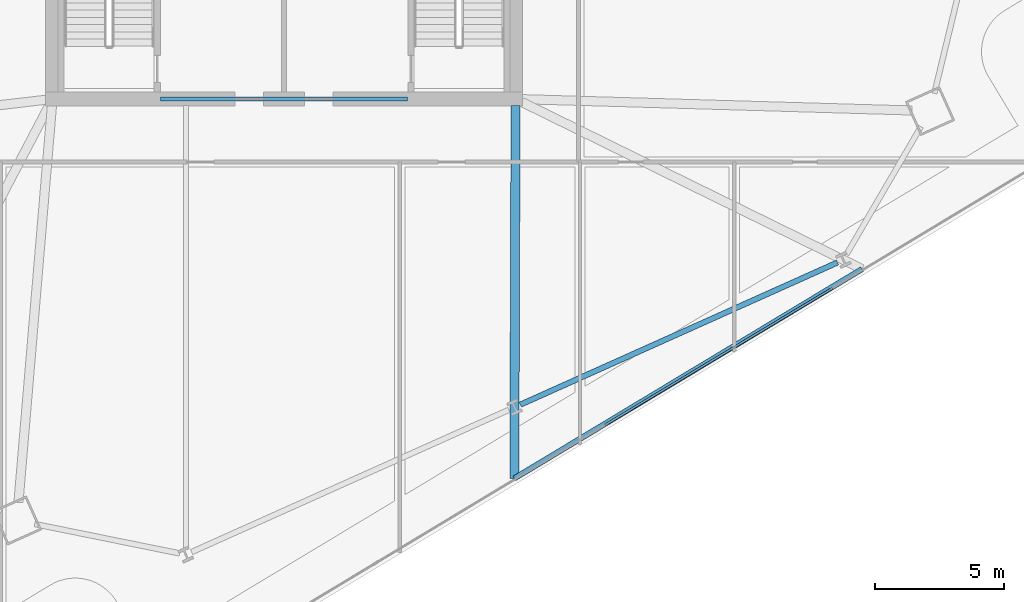
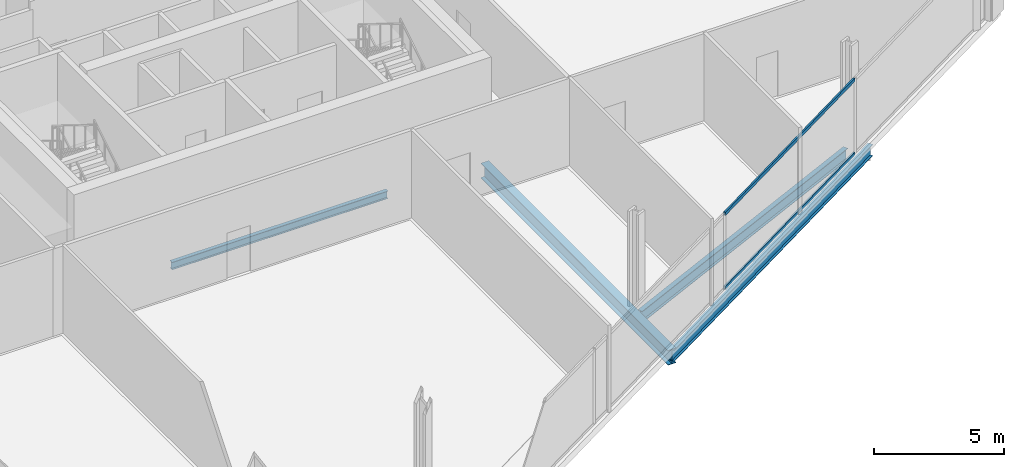
# One storey, part 7 of 30: 4 beams, 2 members, 1 element without a shape of its own.
"""IFC4 building model written with IfcOpenShell, lengths in metres."""

import ifcopenshell
import ifcopenshell.guid

model = None  # the IFC model being written
_history = None  # IfcOwnerHistory: only IFC2X3 demands one
_inside = {}  # id of a spatial element -> (the spatial element, [elements in it])
_under = {}  # id of a project, library or spatial element -> (it, [spatial elements below it])
_declared = {}  # id of a project -> (the project, [libraries it declares])
_typed = {}  # id of a type object -> (the type object, [elements of that type])
_made_of = {}  # id of a material, layer set ... -> (it, [elements and type objects made of it])


def new_model(schema):
    """Start an empty IFC model of exactly this schema.

    Asked for "IFC4X3", IfcOpenShell would pick the latest addendum, in which some entities
    have other attributes; the version numbers below select the first issue.
    IFC2X3 requires an IfcOwnerHistory on every rooted entity: one is made here for all.
    """
    global model, _history
    if schema == "IFC4X3":
        model = ifcopenshell.file(schema_version=(4, 3, 0, 0))
    else:
        model = ifcopenshell.file(schema=schema)
    _inside.clear()
    _under.clear()
    _declared.clear()
    _typed.clear()
    _made_of.clear()
    _history = None
    if model.schema == "IFC2X3":
        org = make("IfcOrganization", Name="unknown")
        user = make(
            "IfcPersonAndOrganization",
            ThePerson=make("IfcPerson", FamilyName="unknown"),
            TheOrganization=org,
        )
        app = make(
            "IfcApplication",
            ApplicationDeveloper=org,
            Version="unknown",
            ApplicationFullName="unknown",
            ApplicationIdentifier="unknown",
        )
        _history = make(
            "IfcOwnerHistory",
            OwningUser=user,
            OwningApplication=app,
            ChangeAction="ADDED",
            CreationDate=0,
        )
    return model


def make(cls, **values):
    """One entity of the class cls with the attributes given. An attribute that is None is left unset."""
    return model.create_entity(
        cls, **{name: value for name, value in values.items() if value is not None}
    )


def rooted(cls, **values):
    """An entity with a GlobalId (a new one), such as an element, a storey or a relation."""
    return make(cls, GlobalId=ifcopenshell.guid.new(), OwnerHistory=_history, **values)


def si_unit(unit_type, name, prefix=None):
    """IfcSIUnit, for example si_unit("LENGTHUNIT", "METRE", prefix="MILLI")."""
    return make("IfcSIUnit", UnitType=unit_type, Prefix=prefix, Name=name)


def assignment(units):
    """IfcUnitAssignment: the units of a project."""
    return None if units is None else make("IfcUnitAssignment", Units=units)


def point(xyz):
    """IfcCartesianPoint."""
    return None if xyz is None else make("IfcCartesianPoint", Coordinates=xyz)


def direction(xyz):
    """IfcDirection."""
    return None if xyz is None else make("IfcDirection", DirectionRatios=xyz)


def frame(location, z_axis=None, x_axis=None):
    """IfcAxis2Placement3D, a coordinate frame: its origin and axes. An axis left out is left unset."""
    return make(
        "IfcAxis2Placement3D",
        Location=point(location),
        Axis=direction(z_axis),
        RefDirection=direction(x_axis),
    )


def frame_2d(location, x_axis=None):
    """IfcAxis2Placement2D, a coordinate frame in the plane: its origin and x axis."""
    return make(
        "IfcAxis2Placement2D", Location=point(location), RefDirection=direction(x_axis)
    )


def origin():
    """The frame at (0, 0, 0) with its axes left unset."""
    return frame((0.0, 0.0, 0.0))


def origin_2d():
    """The frame at (0, 0) in the plane with its x axis left unset."""
    return frame_2d((0.0, 0.0))


def place(relative_to, where):
    """IfcLocalPlacement: puts the frame where relative to a parent placement (None: the world)."""
    return make(
        "IfcLocalPlacement", PlacementRelTo=relative_to, RelativePlacement=where
    )


def context(
    kind, dimensions, precision=None, world=None, true_north=None, identifier=None
):
    """IfcGeometricRepresentationContext, for example the 3D "Model" context."""
    return make(
        "IfcGeometricRepresentationContext",
        ContextIdentifier=identifier,
        ContextType=kind,
        CoordinateSpaceDimension=dimensions,
        Precision=precision,
        WorldCoordinateSystem=world,
        TrueNorth=true_north,
    )


def subcontext(parent, identifier, kind, view, scale=None):
    """IfcGeometricRepresentationSubContext, for example "Body" below "Model"."""
    return make(
        "IfcGeometricRepresentationSubContext",
        ContextIdentifier=identifier,
        ContextType=kind,
        ParentContext=parent,
        TargetScale=scale,
        TargetView=view,
    )


def project(units=None, contexts=None):
    """IfcProject with its units and contexts."""
    return rooted(
        "IfcProject",
        Name="project",
        RepresentationContexts=contexts,
        UnitsInContext=assignment(units),
    )


def spatial(cls, under=None, at=None, **own):
    """A site, building, storey or space (cls), placed at a placement, below another one or the project."""
    s = rooted(cls, ObjectPlacement=at, **own)
    if under is not None:
        _under.setdefault(under.id(), (under, []))[1].append(s)
    return s


def profile(cls, at=None, kind="AREA", **sizes):
    """A parametric profile (cls). Its sizes go by their IFC names, for example OverallWidth=200.0."""
    return make(cls, ProfileType=kind, Position=at, **sizes)


def hollow_rectangle(**sizes):
    """IfcRectangleHollowProfileDef."""
    return profile("IfcRectangleHollowProfileDef", **sizes)


def i_section(**sizes):
    """IfcIShapeProfileDef."""
    return profile("IfcIShapeProfileDef", **sizes)


def extrude(swept, where, along, depth):
    """IfcExtrudedAreaSolid: the profile swept, set in the frame where, extruded along a direction by depth."""
    return make(
        "IfcExtrudedAreaSolid",
        SweptArea=swept,
        Position=where,
        ExtrudedDirection=direction(along),
        Depth=depth,
    )


def shape(context_of_items, identifier, shape_type, items):
    """IfcShapeRepresentation: the items that make up one representation, for example the "Body"."""
    return make(
        "IfcShapeRepresentation",
        ContextOfItems=context_of_items,
        RepresentationIdentifier=identifier,
        RepresentationType=shape_type,
        Items=items,
    )


def material(Name=None, Category=None):
    """IfcMaterial."""
    return make("IfcMaterial", Name=Name, Category=Category)


def material_profile(
    of_material, cross_section, Name=None, Category=None, Priority=None
):
    """IfcMaterialProfile: a cross section and its material."""
    return make(
        "IfcMaterialProfile",
        Name=Name,
        Material=of_material,
        Profile=cross_section,
        Priority=Priority,
        Category=Category,
    )


def profile_set(profiles, Name=None, composite=None):
    """IfcMaterialProfileSet."""
    return make(
        "IfcMaterialProfileSet",
        Name=Name,
        MaterialProfiles=profiles,
        CompositeProfile=composite,
    )


def made_of(thing, what):
    """Note that an element or type object is made of a material, layer set ...; save() writes the relation."""
    if what is not None:
        _made_of.setdefault(what.id(), (what, []))[1].append(thing)
    return thing


def type_object(cls, material=None, **own):
    """A type object (cls), such as IfcWallType, which elements share."""
    return made_of(rooted(cls, **own), material)


def element(
    cls,
    number,
    at=None,
    inside=None,
    cuts=None,
    type_object=None,
    material=None,
    context=None,
    identifier="Body",
    shape_type=None,
    held_by="IfcProductDefinitionShape",
    body=None,
    shapes=None,
    **own,
):
    """One element of the class cls, such as IfcWall. Its Tag is "e" and its number.

    at: its placement. inside: the storey or other place that contains it. cuts: it is an
    opening in that element (IfcRelVoidsElement). A single representation is given by context,
    identifier, shape_type and body (its items); several are given by shapes. held_by: the class
    of the entity that holds the representations. save() writes the other relations.
    """
    e = rooted(cls, Tag="e%d" % number, ObjectPlacement=at, **own)
    if body is not None:
        shapes = [shape(context, identifier, shape_type, body)]
    if shapes is not None:
        e.Representation = make(held_by, Representations=shapes)
    if inside is not None:
        _inside.setdefault(inside.id(), (inside, []))[1].append(e)
    if cuts is not None:
        rooted(
            "IfcRelVoidsElement", RelatingBuildingElement=cuts, RelatedOpeningElement=e
        )
    if type_object is not None:
        _typed.setdefault(type_object.id(), (type_object, []))[1].append(e)
    return made_of(e, material)


def aggregate(whole, parts):
    """IfcRelAggregates: a whole, such as a stair, and the parts it consists of."""
    return rooted("IfcRelAggregates", RelatingObject=whole, RelatedObjects=parts)


def save(model, path):
    """Write the relations noted so far, then the file.

    IfcRelAggregates (storeys below a building ...), IfcRelContainedInSpatialStructure (elements
    in a storey), IfcRelDefinesByType, IfcRelAssociatesMaterial and IfcRelDeclares: one each for
    every whole, place, type object, material and project.
    """
    for whole, parts in _under.values():
        aggregate(whole, parts)
    for where, things in _inside.values():
        rooted(
            "IfcRelContainedInSpatialStructure",
            RelatedElements=things,
            RelatingStructure=where,
        )
    for kind, things in _typed.values():
        rooted("IfcRelDefinesByType", RelatedObjects=things, RelatingType=kind)
    for what, things in _made_of.values():
        rooted("IfcRelAssociatesMaterial", RelatedObjects=things, RelatingMaterial=what)
    for by, libraries in _declared.values():
        rooted("IfcRelDeclares", RelatingContext=by, RelatedDefinitions=libraries)
    model.write(path)


model = new_model("IFC4")

# Units and contexts
model_context = context("Model", 3, precision=1e-05, world=origin(), true_north=direction((0.0, 1.0)))
body_context = subcontext(model_context, "Body", "Model", "MODEL_VIEW")
ifc_project = project(units=[si_unit("LENGTHUNIT", "METRE"), si_unit("AREAUNIT", "SQUARE_METRE"), si_unit("VOLUMEUNIT", "CUBIC_METRE"), si_unit("PLANEANGLEUNIT", "RADIAN"), si_unit("MASSUNIT", "GRAM", prefix="KILO")], contexts=[model_context])

# Site, building, storey
site_placement = place(None, origin())
site = spatial("IfcSite", under=ifc_project, at=site_placement, CompositionType="ELEMENT")
building_placement = place(site_placement, origin())
building = spatial("IfcBuilding", under=site, at=building_placement, Name="Haldenkirk Collegiate Tower", CompositionType="ELEMENT")
storey_placement = place(building_placement, frame((0.0, 0.0, 131.699951171875)))
storey = spatial("IfcBuildingStorey", under=building, at=storey_placement, Name="L32", CompositionType="ELEMENT", Elevation=131.699951171875)

# Beams
ifc_material_1 = material(Name="Steel ASTM A992 Grade 50", Category="steel")
ifc_material_profile_1 = material_profile(ifc_material_1, i_section(OverallWidth=0.35498046875, OverallDepth=0.696044921875, WebThickness=0.015380859375, FlangeThickness=0.02490234375, at=origin_2d()), Name="W27X146")
ifc_profile_set_1 = profile_set([ifc_material_profile_1], Name="Steel ASTM A992 Grade 50")
beam_type_1 = type_object("IfcBeamType", Name="BM-GIRDER-W27X146", PredefinedType="BEAM", material=ifc_profile_set_1)
beam_1_placement = place(storey_placement, frame((44.95068359375, 3.252197265625, -0.697998046875), z_axis=(0.003335392393, 0.999994437563, 0.0), x_axis=(-0.999994437563, 0.003335392393, 0.0)))
element("IfcBeam", 1, at=beam_1_placement, inside=storey, type_object=beam_type_1, Name="L32 primary floor girder 06", PredefinedType="BEAM", context=body_context, shape_type="SweptSolid", body=[
    extrude(i_section(OverallWidth=0.35498046875, OverallDepth=0.696044921875, WebThickness=0.015380859375, FlangeThickness=0.02490234375, at=origin_2d()), origin(), (0.0, 0.0, 1.0), 14.492919921875),
])
ifc_material_profile_2 = material_profile(ifc_material_1, i_section(OverallWidth=0.1708984375, OverallDepth=0.35595703125, WebThickness=0.007080078125, FlangeThickness=0.01171875, at=origin_2d()), Name="W14X34")
ifc_profile_set_2 = profile_set([ifc_material_profile_2], Name="Steel ASTM A992 Grade 50")
beam_type_2 = type_object("IfcBeamType", Name="BM-LINTEL-W14X34", PredefinedType="LINTEL", material=ifc_profile_set_2)
beam_2_placement = place(storey_placement, frame((31.199951171875, 18.0, -0.52783203125), z_axis=(1.0, 0.0, 0.0), x_axis=(0.0, 1.0, 0.0)))
element("IfcBeam", 2, at=beam_2_placement, inside=storey, type_object=beam_type_2, Name="L32 south core coupling lintel", PredefinedType="LINTEL", context=body_context, shape_type="SweptSolid", body=[
    extrude(i_section(OverallWidth=0.1708984375, OverallDepth=0.35595703125, WebThickness=0.007080078125, FlangeThickness=0.01171875, at=origin_2d()), origin(), (0.0, 0.0, 1.0), 9.60009765625),
])
ifc_material_profile_3 = material_profile(ifc_material_1, i_section(OverallWidth=0.2119140625, OverallDepth=0.5439453125, WebThickness=0.01318359375, FlangeThickness=0.021240234375, at=origin_2d()), Name="W21X83")
ifc_profile_set_3 = profile_set([ifc_material_profile_3], Name="Steel ASTM A992 Grade 50")
beam_type_3 = type_object("IfcBeamType", Name="BM-SPANDREL-W21X83", PredefinedType="SPANDREL", material=ifc_profile_set_3)
beam_3_placement = place(storey_placement, frame((45.183837890625, 6.1171875, -0.6220703125), z_axis=(0.912476765144, 0.409128528793, 0.0), x_axis=(-0.409128528793, 0.912476765144, 0.0)))
element("IfcBeam", 3, at=beam_3_placement, inside=storey, type_object=beam_type_3, Name="L32 perimeter spandrel beam 03", PredefinedType="SPANDREL", context=body_context, shape_type="SweptSolid", body=[
    extrude(i_section(OverallWidth=0.2119140625, OverallDepth=0.5439453125, WebThickness=0.01318359375, FlangeThickness=0.021240234375, at=origin_2d()), origin(), (0.0, 0.0, 1.0), 13.512939453125),
])
beam_4_placement = place(storey_placement, frame((44.95068359375, 3.252197265625, -0.6220703125), z_axis=(0.856719069729, 0.515783322301, 0.0), x_axis=(-0.515783322301, 0.856719069729, 0.0)))
element("IfcBeam", 4, at=beam_4_placement, inside=storey, type_object=beam_type_3, Name="L32 outer facade edge beam 1", PredefinedType="SPANDREL", context=body_context, shape_type="SweptSolid", body=[
    extrude(i_section(OverallWidth=0.2119140625, OverallDepth=0.5439453125, WebThickness=0.01318359375, FlangeThickness=0.021240234375, at=origin_2d()), origin(), (0.0, 0.0, 1.0), 15.775390625),
])

# Curtain wall, members
ifc_material_2 = material(Name="Anodised architectural bronze aluminium", Category="aluminium")
curtain_wall_type = type_object("IfcCurtainWallType", Name="CW-SYS2-CONCAVE", PredefinedType="USERDEFINED", material=ifc_material_2)
curtain_wall_placement = place(storey_placement, origin())
curtain_wall = element("IfcCurtainWall", 5, at=curtain_wall_placement, inside=storey, type_object=curtain_wall_type, Name="L32 South concave recessed bronze-anodised curtain wall", ObjectType="UNITISED CURTAIN WALL", PredefinedType="USERDEFINED")
ifc_material_profile_4 = material_profile(ifc_material_2, hollow_rectangle(XDim=0.074951171875, YDim=0.159912109375, WallThickness=0.0048828125, at=origin_2d()), Name="CW-TRN-02")
ifc_profile_set_4 = profile_set([ifc_material_profile_4], Name="Anodised architectural bronze aluminium")
member_type = type_object("IfcMemberType", Name="CW-TRN-02", PredefinedType="USERDEFINED", material=ifc_profile_set_4)
member_1_placement = place(storey_placement, frame((57.31005859375, 10.646484375, 0.03759765625), z_axis=(-0.85672231493, -0.515777931963, 0.0), x_axis=(0.515777931963, -0.85672231493, 0.0)))
member_1 = element("IfcMember", 6, at=member_1_placement, type_object=member_type, Name="CW-02 transom 2.1", ObjectType="TRANSOM", PredefinedType="USERDEFINED", context=body_context, shape_type="SweptSolid", body=[
    extrude(hollow_rectangle(XDim=0.074951171875, YDim=0.159912109375, WallThickness=0.0048828125, at=origin_2d()), origin(), (0.0, 0.0, 1.0), 10.300048828125),
])
member_2_placement = place(storey_placement, frame((57.31005859375, 10.646484375, 3.513427734375), z_axis=(-0.85672231493, -0.515777931963, 0.0), x_axis=(0.515777931963, -0.85672231493, 0.0)))
member_2 = element("IfcMember", 7, at=member_2_placement, type_object=member_type, Name="CW-02 transom 2.2", ObjectType="TRANSOM", PredefinedType="USERDEFINED", context=body_context, shape_type="SweptSolid", body=[
    extrude(hollow_rectangle(XDim=0.074951171875, YDim=0.159912109375, WallThickness=0.0048828125, at=origin_2d()), origin(), (0.0, 0.0, 1.0), 10.300048828125),
])
aggregate(curtain_wall, [member_1, member_2])

save(model, "model.ifc")
